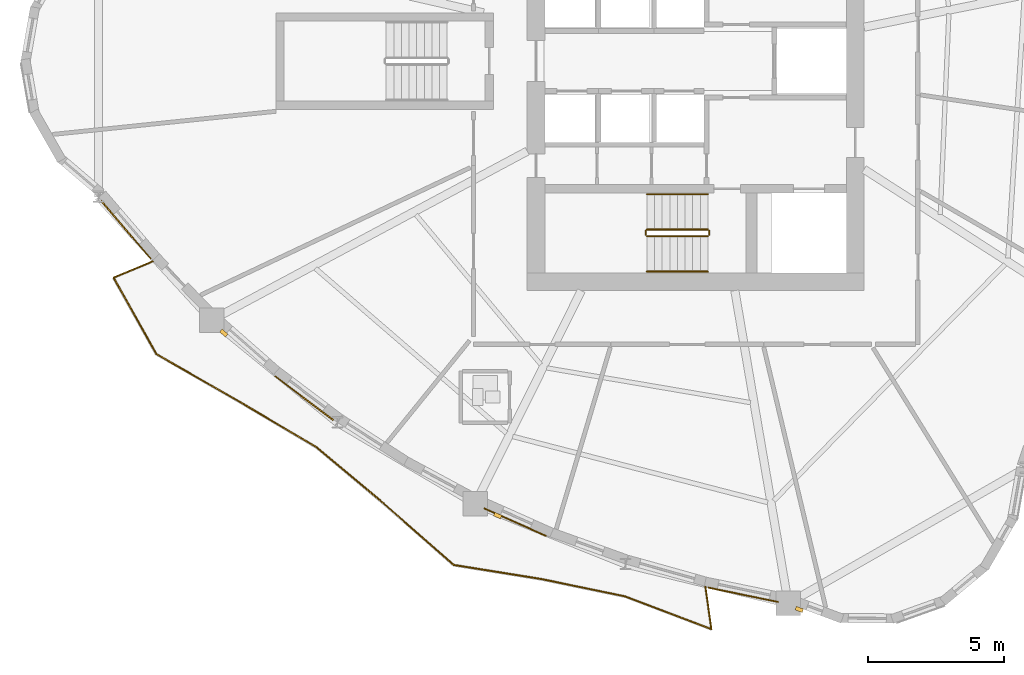
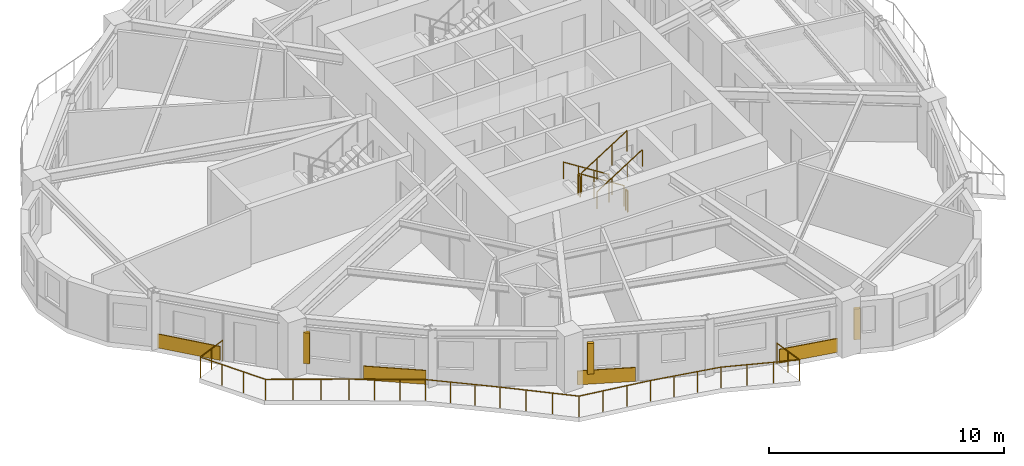
# One storey, part 9 of 12: 7 railings, 4 coverings, 3 shading devices.
"""IFC4 building model written with IfcOpenShell, lengths in metres."""

from ifc_helpers import new_model, si_unit, direction, frame, origin, origin_2d, place, context, subcontext, project, spatial, rectangle, circle, extrude, source, transform, mapped, material, layer, layer_set, type_object, element, save


model = new_model("IFC4")

# Units and contexts
model_context = context("Model", 3, precision=1e-05, world=origin(), true_north=direction((0.0, 1.0)))
body_context = subcontext(model_context, "Body", "Model", "MODEL_VIEW")
ifc_project = project(units=[si_unit("LENGTHUNIT", "METRE"), si_unit("AREAUNIT", "SQUARE_METRE"), si_unit("VOLUMEUNIT", "CUBIC_METRE"), si_unit("PLANEANGLEUNIT", "RADIAN"), si_unit("MASSUNIT", "GRAM", prefix="KILO")], contexts=[model_context])

# Site, building, storey
site_placement = place(None, origin())
site = spatial("IfcSite", under=ifc_project, at=site_placement, CompositionType="ELEMENT")
building_placement = place(site_placement, origin())
building = spatial("IfcBuilding", under=site, at=building_placement, Name="Qafzar Sky-Pleat Residences", CompositionType="ELEMENT")
storey_placement = place(building_placement, frame((0.0, 0.0, 92.800048828125)))
storey = spatial("IfcBuildingStorey", under=building, at=storey_placement, Name="L27", CompositionType="ELEMENT", Elevation=92.800048828125)

# Shading devices
ifc_material_1 = material(Name="Honed Riyadh limestone solar fin", Category="masonry")
ifc_layer_1 = layer(ifc_material_1, 0.139892578125)
ifc_layer_set_1 = layer_set([ifc_layer_1], Name="Honed Riyadh limestone solar fin")
shading_device_type = type_object("IfcShadingDeviceType", Name="SHD-FIN-STONE", PredefinedType="SHUTTER", material=ifc_layer_set_1)
shared_shape_1 = source(origin(), body_context, "Body", "SweptSolid", [
    extrude(rectangle(XDim=0.139892578125, YDim=0.280029296875, at=origin_2d()), origin(), (0.0, 0.0, 1.0), 1.60009765625),
])
for number, where, z_axis, x_axis, name in (
    (1, (12.978759765625, 15.98828125, 0.599853515625), (0.0, 0.0, 1.0), (-0.659725897648, -0.751506313994, 0.0), "L27 Limestone Solar Fin 9"),
    (2, (23.0615234375, 9.26611328125, 0.599853515625), (0.0, 0.0, 1.0), (-0.407013898122, -0.913421965324, 0.0), "L27 Limestone Solar Fin 13"),
    (3, (34.164306640625, 5.81201171875, 0.599853515625), (0.0, 0.0, 1.0), (-0.349823000797, -0.936815813334, 0.0), "L27 Limestone Solar Fin 17"),
):
    element("IfcShadingDevice", number, at=place(storey_placement, frame(where, z_axis=z_axis, x_axis=x_axis)), inside=storey, type_object=shading_device_type, Name=name, PredefinedType="SHUTTER", context=body_context, shape_type="MappedRepresentation", body=[
        mapped(shared_shape_1, transform((0.0, 0.0, 0.0), x_axis=(1.0, 0.0, 0.0), y_axis=(0.0, 1.0, 0.0), z_axis=(0.0, 0.0, 1.0), scale=1.0)),
    ])

# Railing
ifc_material_2 = material(Name="Laminated glass and bronze steel balustrade", Category="steel")
railing_type_1 = type_object("IfcRailingType", Name="RAIL-BAL-1100", PredefinedType="BALUSTRADE", material=ifc_material_2)
shared_shape_2 = source(origin(), body_context, "Body", "SweptSolid", [
    extrude(circle(Radius=0.02392578125, at=origin_2d()), frame((0.0, 0.0, 1.076171875), z_axis=(-0.922613917862, -0.385724718637, 0.0), x_axis=(0.385724718637, -0.922613917862, 0.0)), (0.0, 0.0, 1.0), 1.577880859375),
    extrude(circle(Radius=0.02392578125, at=origin_2d()), frame((-1.455810546875, -0.608642578125, 1.076171875), z_axis=(0.488116684055, -0.872778381233, 0.0), x_axis=(0.872778381233, 0.488116684055, 0.0)), (0.0, 0.0, 1.0), 3.2236328125),
    extrude(circle(Radius=0.02392578125, at=origin_2d()), frame((0.11767578125, -3.422119140625, 1.076171875), z_axis=(0.867778766006, -0.49695071513, 0.0), x_axis=(0.49695071513, 0.867778766006, 0.0)), (0.0, 0.0, 1.0), 3.561767578125),
    extrude(circle(Radius=0.02392578125, at=origin_2d()), frame((3.20849609375, -5.192138671875, 1.076171875), z_axis=(0.860859650558, -0.508842472718, 0.0), x_axis=(0.508842472718, 0.860859650558, 0.0)), (0.0, 0.0, 1.0), 3.270751953125),
    extrude(circle(Radius=0.02392578125, at=origin_2d()), frame((6.024169921875, -6.8564453125, 1.076171875), z_axis=(0.76653872702, -0.642198084689, 0.0), x_axis=(0.642198084689, 0.76653872702, 0.0)), (0.0, 0.0, 1.0), 3.204345703125),
    extrude(circle(Radius=0.02392578125, at=origin_2d()), frame((8.48046875, -8.914306640625, 1.076171875), z_axis=(0.75086023656, -0.66046113069, 0.0), x_axis=(0.66046113069, 0.75086023656, 0.0)), (0.0, 0.0, 1.0), 3.4326171875),
    extrude(circle(Radius=0.02392578125, at=origin_2d()), frame((11.057861328125, -11.181396484375, 1.076171875), z_axis=(0.987281530918, -0.158981692998, 0.0), x_axis=(0.158981692998, 0.987281530918, 0.0)), (0.0, 0.0, 1.0), 3.275634765625),
    extrude(circle(Radius=0.02392578125, at=origin_2d()), frame((14.291748046875, -11.7021484375, 1.076171875), z_axis=(0.97921848132, -0.20280819964, 0.0), x_axis=(0.20280819964, 0.97921848132, 0.0)), (0.0, 0.0, 1.0), 3.14794921875),
    extrude(circle(Radius=0.02392578125, at=origin_2d()), frame((17.374267578125, -12.340576171875, 1.076171875), z_axis=(0.934723383359, -0.355376133978, 0.0), x_axis=(0.355376133978, 0.934723383359, 0.0)), (0.0, 0.0, 1.0), 3.39453125),
    extrude(circle(Radius=0.02392578125, at=origin_2d()), frame((20.547119140625, -13.546875, 1.076171875), z_axis=(-0.138626600479, 0.99034472061, 0.0), x_axis=(-0.99034472061, -0.138626600479, 0.0)), (0.0, 0.0, 1.0), 1.577880859375),
    extrude(circle(Radius=0.02099609375, at=origin_2d()), origin(), (0.0, 0.0, 1.0), 1.052001953125),
    extrude(circle(Radius=0.02099609375, at=origin_2d()), frame((-0.72802734375, -0.30419921875, 0.0)), (0.0, 0.0, 1.0), 1.052001953125),
    extrude(circle(Radius=0.02099609375, at=origin_2d()), frame((-1.455810546875, -0.608642578125, 0.0)), (0.0, 0.0, 1.0), 1.052001953125),
    extrude(circle(Radius=0.02099609375, at=origin_2d()), frame((-0.931396484375, -1.54638671875, 0.0)), (0.0, 0.0, 1.0), 1.052001953125),
    extrude(circle(Radius=0.02099609375, at=origin_2d()), frame((-0.40673828125, -2.484375, 0.0)), (0.0, 0.0, 1.0), 1.052001953125),
    extrude(circle(Radius=0.02099609375, at=origin_2d()), frame((0.11767578125, -3.422119140625, 0.0)), (0.0, 0.0, 1.0), 1.052001953125),
    extrude(circle(Radius=0.02099609375, at=origin_2d()), frame((1.14794921875, -4.01220703125, 0.0)), (0.0, 0.0, 1.0), 1.052001953125),
    extrude(circle(Radius=0.02099609375, at=origin_2d()), frame((2.17822265625, -4.60205078125, 0.0)), (0.0, 0.0, 1.0), 1.052001953125),
    extrude(circle(Radius=0.02099609375, at=origin_2d()), frame((3.20849609375, -5.192138671875, 0.0)), (0.0, 0.0, 1.0), 1.052001953125),
    extrude(circle(Radius=0.02099609375, at=origin_2d()), frame((4.14697265625, -5.746826171875, 0.0)), (0.0, 0.0, 1.0), 1.052001953125),
    extrude(circle(Radius=0.02099609375, at=origin_2d()), frame((5.085693359375, -6.3017578125, 0.0)), (0.0, 0.0, 1.0), 1.052001953125),
    extrude(circle(Radius=0.02099609375, at=origin_2d()), frame((6.024169921875, -6.8564453125, 0.0)), (0.0, 0.0, 1.0), 1.052001953125),
    extrude(circle(Radius=0.02099609375, at=origin_2d()), frame((6.843017578125, -7.54248046875, 0.0)), (0.0, 0.0, 1.0), 1.052001953125),
    extrude(circle(Radius=0.02099609375, at=origin_2d()), frame((7.66162109375, -8.228271484375, 0.0)), (0.0, 0.0, 1.0), 1.052001953125),
    extrude(circle(Radius=0.02099609375, at=origin_2d()), frame((8.48046875, -8.914306640625, 0.0)), (0.0, 0.0, 1.0), 1.052001953125),
    extrude(circle(Radius=0.02099609375, at=origin_2d()), frame((9.339599609375, -9.669921875, 0.0)), (0.0, 0.0, 1.0), 1.052001953125),
    extrude(circle(Radius=0.02099609375, at=origin_2d()), frame((10.19873046875, -10.42578125, 0.0)), (0.0, 0.0, 1.0), 1.052001953125),
    extrude(circle(Radius=0.02099609375, at=origin_2d()), frame((11.057861328125, -11.181396484375, 0.0)), (0.0, 0.0, 1.0), 1.052001953125),
    extrude(circle(Radius=0.02099609375, at=origin_2d()), frame((12.1357421875, -11.35498046875, 0.0)), (0.0, 0.0, 1.0), 1.052001953125),
    extrude(circle(Radius=0.02099609375, at=origin_2d()), frame((13.2138671875, -11.528564453125, 0.0)), (0.0, 0.0, 1.0), 1.052001953125),
    extrude(circle(Radius=0.02099609375, at=origin_2d()), frame((14.291748046875, -11.7021484375, 0.0)), (0.0, 0.0, 1.0), 1.052001953125),
    extrude(circle(Radius=0.02099609375, at=origin_2d()), frame((15.3193359375, -11.9150390625, 0.0)), (0.0, 0.0, 1.0), 1.052001953125),
    extrude(circle(Radius=0.02099609375, at=origin_2d()), frame((16.3466796875, -12.127685546875, 0.0)), (0.0, 0.0, 1.0), 1.052001953125),
    extrude(circle(Radius=0.02099609375, at=origin_2d()), frame((17.374267578125, -12.340576171875, 0.0)), (0.0, 0.0, 1.0), 1.052001953125),
    extrude(circle(Radius=0.02099609375, at=origin_2d()), frame((18.431884765625, -12.74267578125, 0.0)), (0.0, 0.0, 1.0), 1.052001953125),
    extrude(circle(Radius=0.02099609375, at=origin_2d()), frame((19.489501953125, -13.144775390625, 0.0)), (0.0, 0.0, 1.0), 1.052001953125),
    extrude(circle(Radius=0.02099609375, at=origin_2d()), frame((20.547119140625, -13.546875, 0.0)), (0.0, 0.0, 1.0), 1.052001953125),
    extrude(circle(Radius=0.02099609375, at=origin_2d()), frame((20.437744140625, -12.765625, 0.0)), (0.0, 0.0, 1.0), 1.052001953125),
    extrude(circle(Radius=0.02099609375, at=origin_2d()), frame((20.328369140625, -11.984130859375, 0.0)), (0.0, 0.0, 1.0), 1.052001953125),
])
railing_1_placement = place(storey_placement, frame((10.38134765625, 18.63330078125, 0.0)))
element("IfcRailing", 4, at=railing_1_placement, inside=storey, type_object=railing_type_1, Name="L27 Pleated Balcony 3 Balustrade", PredefinedType="BALUSTRADE", context=body_context, shape_type="MappedRepresentation", body=[
    mapped(shared_shape_2, transform((0.0, 0.0, 0.0), x_axis=(1.0, 0.0, 0.0), y_axis=(0.0, 1.0, 0.0), z_axis=(0.0, 0.0, 1.0), scale=1.0)),
])

# Coverings
ifc_material_3 = material(Name="Honed Riyadh Tuwaiq limestone cladding", Category="masonry")
ifc_layer_2 = layer(ifc_material_3, 0.044921875)
ifc_layer_set_2 = layer_set([ifc_layer_2], Name="Honed Riyadh Tuwaiq limestone cladding")
covering_type = type_object("IfcCoveringType", Name="COV-CLAD-STONE", PredefinedType="CLADDING", material=ifc_layer_set_2)
shared_shape_3 = source(origin(), body_context, "Body", "SweptSolid", [
    extrude(rectangle(XDim=2.8203125, YDim=0.044921875, at=origin_2d()), origin(), (0.0, 0.0, 1.0), 0.719970703125),
])
covering_1_placement = place(storey_placement, frame((9.380859375, 19.784423828125, 0.02001953125), z_axis=(0.0, 0.0, 1.0), x_axis=(0.650751949788, -0.759290392306, 0.0)))
element("IfcCovering", 5, at=covering_1_placement, inside=storey, type_object=covering_type, Name="L27 Riyadh Limestone Spandrel Cladding 7", PredefinedType="CLADDING", context=body_context, shape_type="MappedRepresentation", body=[
    mapped(shared_shape_3, transform((0.0, 0.0, 0.0), x_axis=(1.0, 0.0, 0.0), y_axis=(0.0, 1.0, 0.0), z_axis=(0.0, 0.0, 1.0), scale=1.0)),
])
shared_shape_4 = source(origin(), body_context, "Body", "SweptSolid", [
    extrude(rectangle(XDim=2.6865234375, YDim=0.044921875, at=origin_2d()), origin(), (0.0, 0.0, 1.0), 0.719970703125),
])
covering_2_placement = place(storey_placement, frame((15.9365234375, 13.59228515625, 0.02001953125), z_axis=(0.0, 0.0, 1.0), x_axis=(0.798389092488, -0.602141891082, 0.0)))
element("IfcCovering", 6, at=covering_2_placement, inside=storey, type_object=covering_type, Name="L27 Riyadh Limestone Spandrel Cladding 10", PredefinedType="CLADDING", context=body_context, shape_type="MappedRepresentation", body=[
    mapped(shared_shape_4, transform((0.0, 0.0, 0.0), x_axis=(1.0, 0.0, 0.0), y_axis=(0.0, 1.0, 0.0), z_axis=(0.0, 0.0, 1.0), scale=1.0)),
])
shared_shape_5 = source(origin(), body_context, "Body", "SweptSolid", [
    extrude(rectangle(XDim=2.49755859375, YDim=0.044921875, at=origin_2d()), origin(), (0.0, 0.0, 1.0), 0.719970703125),
])
covering_3_placement = place(storey_placement, frame((23.704833984375, 9.026611328125, 0.02001953125), z_axis=(0.0, 0.0, 1.0), x_axis=(0.913414340763, -0.407031008756, 0.0)))
element("IfcCovering", 7, at=covering_3_placement, inside=storey, type_object=covering_type, Name="L27 Riyadh Limestone Spandrel Cladding 13", PredefinedType="CLADDING", context=body_context, shape_type="MappedRepresentation", body=[
    mapped(shared_shape_5, transform((0.0, 0.0, 0.0), x_axis=(1.0, 0.0, 0.0), y_axis=(0.0, 1.0, 0.0), z_axis=(0.0, 0.0, 1.0), scale=1.0)),
])
shared_shape_6 = source(origin(), body_context, "Body", "SweptSolid", [
    extrude(rectangle(XDim=2.631103515625, YDim=0.044921875, at=origin_2d()), origin(), (0.0, 0.0, 1.0), 0.719970703125),
])
covering_4_placement = place(storey_placement, frame((32.097900390625, 6.352294921875, 0.02001953125), z_axis=(0.0, 0.0, 1.0), x_axis=(0.979430208869, -0.201783215244, 0.0)))
element("IfcCovering", 8, at=covering_4_placement, inside=storey, type_object=covering_type, Name="L27 Riyadh Limestone Spandrel Cladding 16", PredefinedType="CLADDING", context=body_context, shape_type="MappedRepresentation", body=[
    mapped(shared_shape_6, transform((0.0, 0.0, 0.0), x_axis=(1.0, 0.0, 0.0), y_axis=(0.0, 1.0, 0.0), z_axis=(0.0, 0.0, 1.0), scale=1.0)),
])

# Railings
ifc_material_4 = material(Name="Painted Steel S355 stair guardrail", Category="steel")
railing_type_2 = type_object("IfcRailingType", Name="RAIL-STAIR-GUARD", PredefinedType="GUARDRAIL", material=ifc_material_4)
shared_shape_7 = source(origin(), body_context, "Body", "SweptSolid", [
    extrude(circle(Radius=0.02392578125, at=origin_2d()), frame((0.0, 0.0, 1.076171875), z_axis=(0.0, -1.0, 0.0), x_axis=(1.0, 0.0, 0.0)), (0.0, 0.0, 1.0), 0.14990234375),
    extrude(circle(Radius=0.02099609375, at=origin_2d()), origin(), (0.0, 0.0, 1.0), 1.052001953125),
    extrude(circle(Radius=0.02099609375, at=origin_2d()), frame((0.0, -0.14990234375, 0.0)), (0.0, 0.0, 1.0), 1.052001953125),
])
for number, where, name in (
    (9, (28.510009765625, 19.75, 1.599853515625), "L27 ST1 stair guard 2"),
    (10, (30.85009765625, 19.75, 0.0), "L27 ST1 stair guard 4"),
):
    element("IfcRailing", number, at=place(storey_placement, frame(where)), inside=storey, type_object=railing_type_2, Name=name, PredefinedType="GUARDRAIL", context=body_context, shape_type="MappedRepresentation", body=[
        mapped(shared_shape_7, transform((0.0, 0.0, 0.0), x_axis=(1.0, 0.0, 0.0), y_axis=(0.0, 1.0, 0.0), z_axis=(0.0, 0.0, 1.0), scale=1.0)),
    ])
shared_shape_8 = source(origin(), body_context, "Body", "SweptSolid", [
    extrude(circle(Radius=0.02392578125, at=origin_2d()), frame((0.0, 0.0, 1.076171875), z_axis=(-0.8442293374, 0.0, 0.53598211339), x_axis=(0.0, -1.0, 0.0)), (0.0, 0.0, 1.0), 2.6533203125),
    extrude(circle(Radius=0.02099609375, at=origin_2d()), origin(), (0.0, 0.0, 1.0), 1.052001953125),
    extrude(circle(Radius=0.02099609375, at=origin_2d()), frame((-0.74658203125, 0.0, 0.47412109375)), (0.0, 0.0, 1.0), 1.052001953125),
    extrude(circle(Radius=0.02099609375, at=origin_2d()), frame((-1.493408203125, 0.0, 0.947998046875)), (0.0, 0.0, 1.0), 1.052001953125),
    extrude(circle(Radius=0.02099609375, at=origin_2d()), frame((-2.239990234375, 0.0, 1.422119140625)), (0.0, 0.0, 1.0), 1.052001953125),
])
railing_2_placement = place(storey_placement, frame((30.800048828125, 19.800048828125, 0.177734375)))
element("IfcRailing", 11, at=railing_2_placement, inside=storey, type_object=railing_type_2, Name="L27 ST1 stair guard 1", PredefinedType="GUARDRAIL", context=body_context, shape_type="MappedRepresentation", body=[
    mapped(shared_shape_8, transform((0.0, 0.0, 0.0), x_axis=(1.0, 0.0, 0.0), y_axis=(0.0, 1.0, 0.0), z_axis=(0.0, 0.0, 1.0), scale=1.0)),
])
shared_shape_9 = source(origin(), body_context, "Body", "SweptSolid", [
    extrude(circle(Radius=0.02392578125, at=origin_2d()), frame((0.0, 0.0, 1.076171875), z_axis=(0.8442293374, 0.0, 0.53598211339), x_axis=(0.0, 1.0, 0.0)), (0.0, 0.0, 1.0), 2.6533203125),
    extrude(circle(Radius=0.02099609375, at=origin_2d()), origin(), (0.0, 0.0, 1.0), 1.052001953125),
    extrude(circle(Radius=0.02099609375, at=origin_2d()), frame((0.74658203125, 0.0, 0.47412109375)), (0.0, 0.0, 1.0), 1.052001953125),
    extrude(circle(Radius=0.02099609375, at=origin_2d()), frame((1.493408203125, 0.0, 0.947998046875)), (0.0, 0.0, 1.0), 1.052001953125),
    extrude(circle(Radius=0.02099609375, at=origin_2d()), frame((2.239990234375, 0.0, 1.422119140625)), (0.0, 0.0, 1.0), 1.052001953125),
])
railing_3_placement = place(storey_placement, frame((28.56005859375, 19.550048828125, 1.77783203125)))
element("IfcRailing", 12, at=railing_3_placement, inside=storey, type_object=railing_type_2, Name="L27 ST1 stair guard 3", PredefinedType="GUARDRAIL", context=body_context, shape_type="MappedRepresentation", body=[
    mapped(shared_shape_9, transform((0.0, 0.0, 0.0), x_axis=(1.0, 0.0, 0.0), y_axis=(0.0, 1.0, 0.0), z_axis=(0.0, 0.0, 1.0), scale=1.0)),
])
ifc_material_5 = material(Name="Brushed stainless steel handrail", Category="steel")
railing_type_3 = type_object("IfcRailingType", Name="RAIL-STAIR-HAND", PredefinedType="HANDRAIL", material=ifc_material_5)
shared_shape_10 = source(origin(), body_context, "Body", "SweptSolid", [
    extrude(circle(Radius=0.02392578125, at=origin_2d()), frame((0.0, 0.0, 0.8759765625), z_axis=(-0.8442293374, 0.0, 0.53598211339), x_axis=(0.0, -1.0, 0.0)), (0.0, 0.0, 1.0), 2.6533203125),
    extrude(circle(Radius=0.02099609375, at=origin_2d()), origin(), (0.0, 0.0, 1.0), 0.851806640625),
    extrude(circle(Radius=0.02099609375, at=origin_2d()), frame((-0.74658203125, 0.0, 0.47412109375)), (0.0, 0.0, 1.0), 0.851806640625),
    extrude(circle(Radius=0.02099609375, at=origin_2d()), frame((-1.493408203125, 0.0, 0.947998046875)), (0.0, 0.0, 1.0), 0.851806640625),
    extrude(circle(Radius=0.02099609375, at=origin_2d()), frame((-2.239990234375, 0.0, 1.422119140625)), (0.0, 0.0, 1.0), 0.851806640625),
])
railing_4_placement = place(storey_placement, frame((30.800048828125, 21.10009765625, 0.177734375)))
element("IfcRailing", 13, at=railing_4_placement, inside=storey, type_object=railing_type_3, Name="L27 ST1 stair handrail 1", PredefinedType="HANDRAIL", context=body_context, shape_type="MappedRepresentation", body=[
    mapped(shared_shape_10, transform((0.0, 0.0, 0.0), x_axis=(1.0, 0.0, 0.0), y_axis=(0.0, 1.0, 0.0), z_axis=(0.0, 0.0, 1.0), scale=1.0)),
])
shared_shape_11 = source(origin(), body_context, "Body", "SweptSolid", [
    extrude(circle(Radius=0.02392578125, at=origin_2d()), frame((0.0, 0.0, 0.8759765625), z_axis=(0.8442293374, 0.0, 0.53598211339), x_axis=(0.0, 1.0, 0.0)), (0.0, 0.0, 1.0), 2.6533203125),
    extrude(circle(Radius=0.02099609375, at=origin_2d()), origin(), (0.0, 0.0, 1.0), 0.851806640625),
    extrude(circle(Radius=0.02099609375, at=origin_2d()), frame((0.74658203125, 0.0, 0.47412109375)), (0.0, 0.0, 1.0), 0.851806640625),
    extrude(circle(Radius=0.02099609375, at=origin_2d()), frame((1.493408203125, 0.0, 0.947998046875)), (0.0, 0.0, 1.0), 0.851806640625),
    extrude(circle(Radius=0.02099609375, at=origin_2d()), frame((2.239990234375, 0.0, 1.422119140625)), (0.0, 0.0, 1.0), 0.851806640625),
])
railing_5_placement = place(storey_placement, frame((28.56005859375, 18.25, 1.77783203125)))
element("IfcRailing", 14, at=railing_5_placement, inside=storey, type_object=railing_type_3, Name="L27 ST1 stair handrail 2", PredefinedType="HANDRAIL", context=body_context, shape_type="MappedRepresentation", body=[
    mapped(shared_shape_11, transform((0.0, 0.0, 0.0), x_axis=(1.0, 0.0, 0.0), y_axis=(0.0, 1.0, 0.0), z_axis=(0.0, 0.0, 1.0), scale=1.0)),
])

save(model, "model.ifc")
